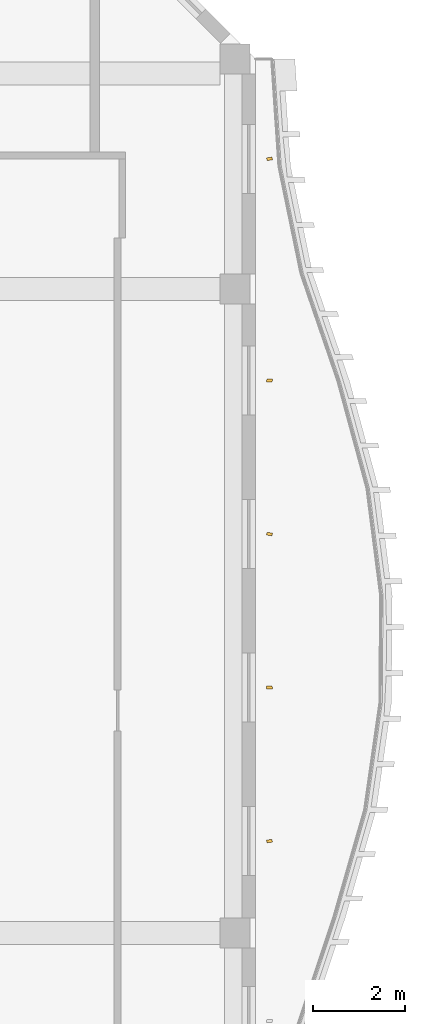
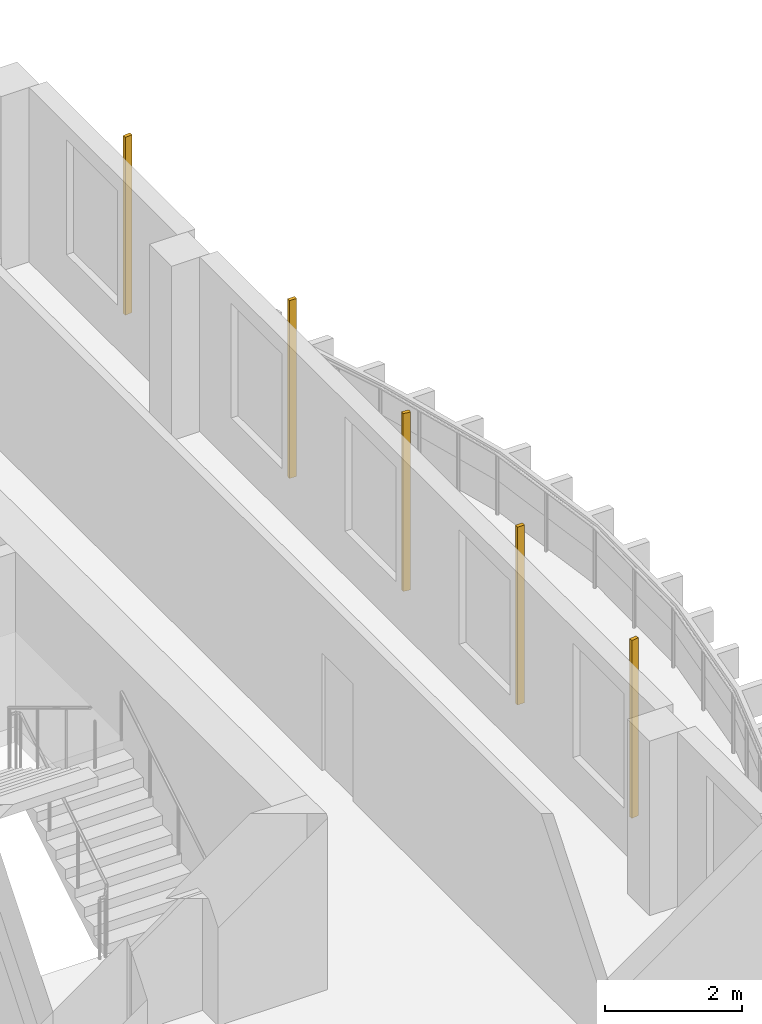
# One storey, part 18 of 18: 5 shading devices.
"""IFC4 building model written with IfcOpenShell, lengths in metres."""

from ifc_helpers import new_model, si_unit, direction, frame, origin, origin_2d, place, context, subcontext, project, spatial, rectangle, extrude, source, transform, mapped, material, material_profile, profile_set, type_object, element, save


model = new_model("IFC4")

# Units and contexts
model_context = context("Model", 3, precision=1e-05, world=origin(), true_north=direction((0.0, 1.0)))
body_context = subcontext(model_context, "Body", "Model", "MODEL_VIEW")
ifc_project = project(units=[si_unit("LENGTHUNIT", "METRE"), si_unit("AREAUNIT", "SQUARE_METRE"), si_unit("VOLUMEUNIT", "CUBIC_METRE"), si_unit("PLANEANGLEUNIT", "RADIAN"), si_unit("MASSUNIT", "GRAM", prefix="KILO")], contexts=[model_context])

# Site, building, storey
site_placement = place(None, origin())
site = spatial("IfcSite", under=ifc_project, at=site_placement, CompositionType="ELEMENT")
building_placement = place(site_placement, origin())
building = spatial("IfcBuilding", under=site, at=building_placement, Name="Kilnfold Tower and Market Hall", CompositionType="ELEMENT")
storey_placement = place(building_placement, frame((0.0, 0.0, 277.199951171875)))
storey = spatial("IfcBuildingStorey", under=building, at=storey_placement, Name="L68", CompositionType="ELEMENT", Elevation=277.199951171875)

# Shading devices
ifc_material = material(Name="Terracotta", Category="masonry")
ifc_material_profile = material_profile(ifc_material, rectangle(XDim=0.06005859375, YDim=0.1201171875, at=origin_2d()), Name="BAG 60x120")
ifc_profile_set = profile_set([ifc_material_profile], Name="Terracotta")
shading_device_type = type_object("IfcShadingDeviceType", Name="BAGUETTE", PredefinedType="USERDEFINED", material=ifc_profile_set)
shared_shape = source(origin(), body_context, "Body", "SweptSolid", [
    extrude(rectangle(XDim=0.06005859375, YDim=0.1201171875, at=origin_2d()), origin(), (0.0, 0.0, 1.0), 3.179931640625),
])
for number, where, z_axis, x_axis, name in (
    (1, (23.800048828125, 9.99365234375, 0.0), (0.0, 0.0, 1.0), (-0.139169644272, 0.990268554541, 0.0), "Terracotta baguette L68 E"),
    (2, (23.800048828125, 13.331298828125, 0.0), (0.0, 0.0, 1.0), (-0.01120477933, 0.99993722449, 0.0), "Terracotta baguette L68 E"),
    (3, (23.800048828125, 16.668701171875, 0.0), (0.0, 0.0, 1.0), (0.137551728671, 0.990494584508, 0.0), "Terracotta baguette L68 E"),
    (4, (23.800048828125, 20.006103515625, 0.0), (0.0, 0.0, 1.0), (0.031309579771, 0.999509734927, 0.0), "Terracotta baguette L68 E"),
    (5, (23.800048828125, 24.824951171875, 0.0), (0.0, 0.0, 1.0), (-0.130026090696, 0.991510572681, 0.0), "Terracotta baguette L68 E"),
):
    element("IfcShadingDevice", number, at=place(storey_placement, frame(where, z_axis=z_axis, x_axis=x_axis)), inside=storey, type_object=shading_device_type, Name=name, ObjectType="BAGUETTE", PredefinedType="USERDEFINED", context=body_context, shape_type="MappedRepresentation", body=[
        mapped(shared_shape, transform((0.0, 0.0, 0.0))),
    ])

save(model, "model.ifc")
